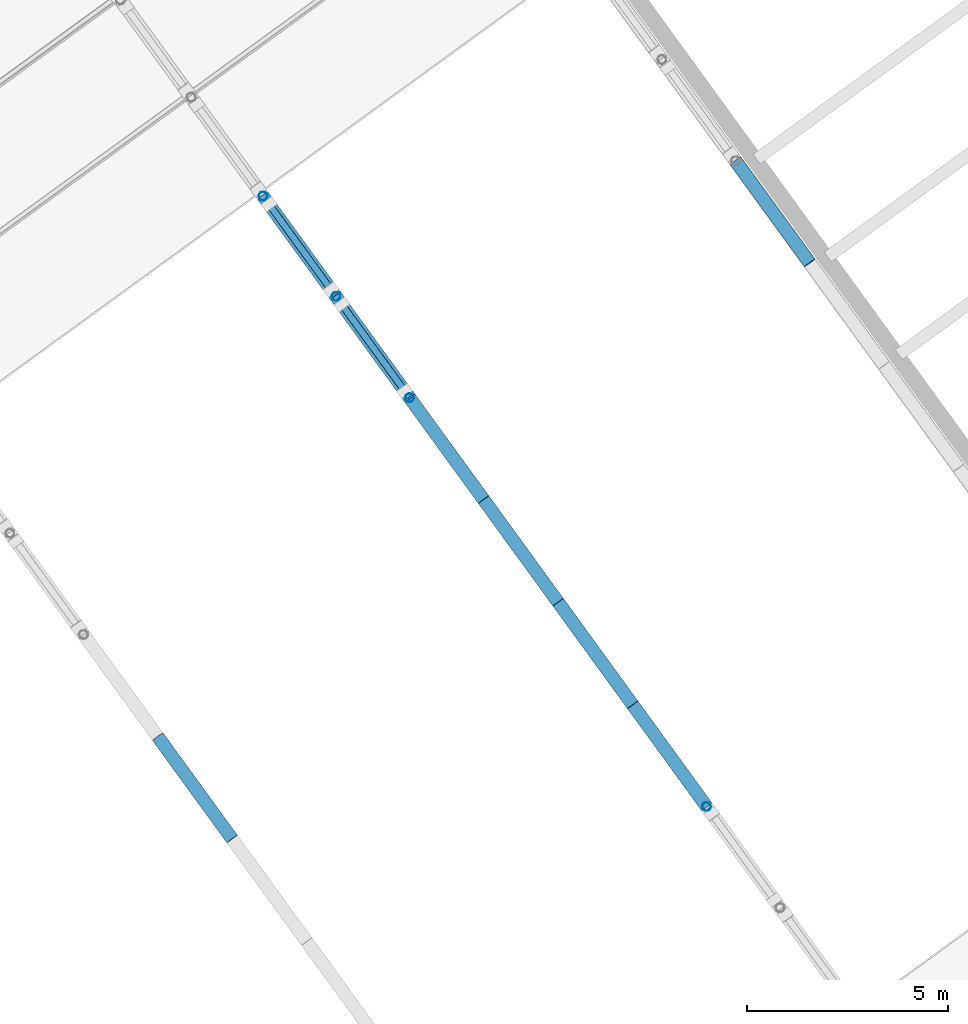
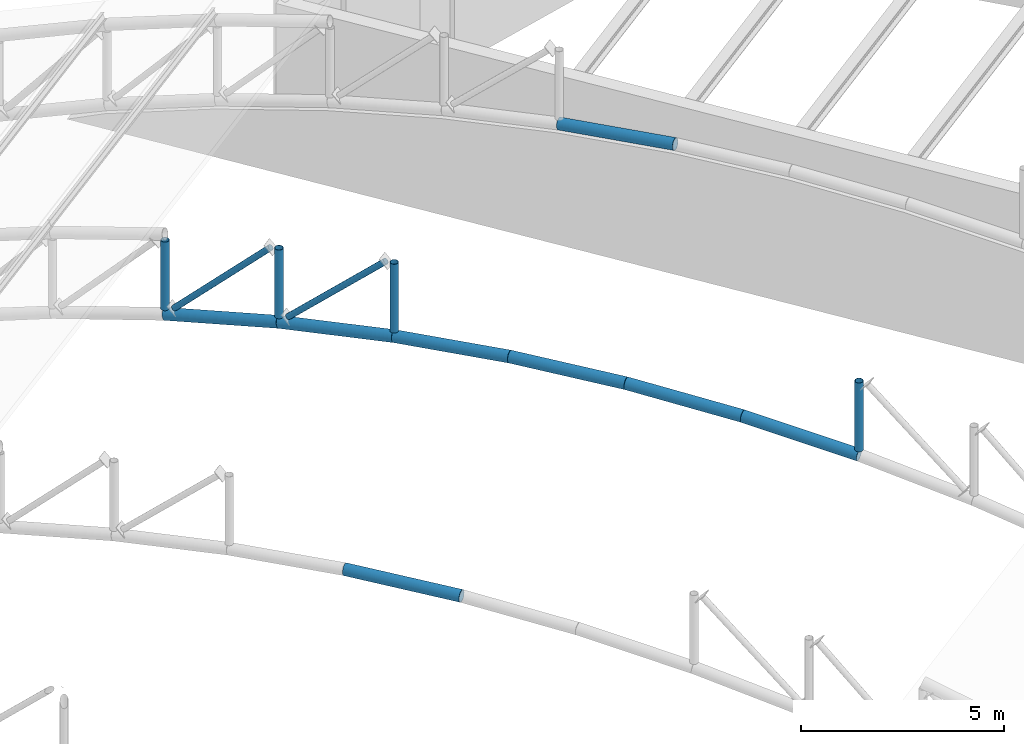
# One storey, part 28 of 69: 14 members.
"""IFC4 building model written with IfcOpenShell, lengths in metres."""

from ifc_helpers import new_model, si_unit, direction, frame, origin, origin_2d, place, context, subcontext, project, spatial, hollow_circle, extrude, material, material_profile, profile_set, type_object, element, save


model = new_model("IFC4")

# Units and contexts
model_context = context("Model", 3, precision=1e-05, world=origin(), true_north=direction((0.0, 1.0)))
body_context = subcontext(model_context, "Body", "Model", "MODEL_VIEW")
ifc_project = project(units=[si_unit("LENGTHUNIT", "METRE"), si_unit("AREAUNIT", "SQUARE_METRE"), si_unit("VOLUMEUNIT", "CUBIC_METRE"), si_unit("PLANEANGLEUNIT", "RADIAN"), si_unit("MASSUNIT", "GRAM", prefix="KILO")], contexts=[model_context])

# Site, building, storey
site_placement = place(None, origin())
site = spatial("IfcSite", under=ifc_project, at=site_placement, CompositionType="ELEMENT")
building_placement = place(site_placement, origin())
building = spatial("IfcBuilding", under=site, at=building_placement, Name="Okhra Congress Centre", CompositionType="ELEMENT")
storey_placement = place(building_placement, frame((0.0, 0.0, 16.800048828125)))
storey = spatial("IfcBuildingStorey", under=building, at=storey_placement, Name="L03", CompositionType="ELEMENT", Elevation=16.800048828125)

# Members
ifc_material = material(Name="Steel S355J2H", Category="steel")
ifc_material_profile_1 = material_profile(ifc_material, hollow_circle(Radius=0.084228515625, WallThickness=0.00634765625, at=origin_2d()), Name="CHS 168.3x6.3")
ifc_profile_set_1 = profile_set([ifc_material_profile_1], Name="Steel S355J2H")
member_type_1 = type_object("IfcMemberType", Name="CHS 168.3x6.3", PredefinedType="BRACE", material=ifc_profile_set_1)
member_1_placement = place(storey_placement, frame((249.024169921875, 214.728515625, 3.290283203125), z_axis=(0.432852970134, -0.595735556437, 0.676562970494), x_axis=(0.80900036382, 0.587808141607, 0.0)))
element("IfcMember", 1, at=member_1_placement, inside=storey, type_object=member_type_1, Name="Truss 6 diagonal 12", PredefinedType="BRACE", context=body_context, shape_type="SweptSolid", body=[
    extrude(hollow_circle(Radius=0.084228515625, WallThickness=0.00634765625, at=origin_2d()), origin(), (0.0, 0.0, 1.0), 3.579345703125),
])
member_2_placement = place(storey_placement, frame((247.21630859375, 217.217041015625, 2.67236328125), z_axis=(0.418368815091, -0.575932824092, 0.702331059183), x_axis=(0.809064337384, 0.587720084712, 0.0)))
element("IfcMember", 2, at=member_2_placement, inside=storey, type_object=member_type_1, Name="Truss 6 diagonal 13", PredefinedType="BRACE", context=body_context, shape_type="SweptSolid", body=[
    extrude(hollow_circle(Radius=0.084228515625, WallThickness=0.00634765625, at=origin_2d()), origin(), (0.0, 0.0, 1.0), 3.658203125),
])
ifc_material_profile_2 = material_profile(ifc_material, hollow_circle(Radius=0.109619140625, WallThickness=0.008056640625, at=origin_2d()), Name="CHS 219.1x8")
ifc_profile_set_2 = profile_set([ifc_material_profile_2], Name="Steel S355J2H")
member_type_2 = type_object("IfcMemberType", Name="CHS 219.1x8", PredefinedType="POST", material=ifc_profile_set_2)
for number, where, z_axis, x_axis, name in (
    (3, (258.075927734375, 202.269775390625, 3.6845703125), (0.0, 0.0, 1.0), (1.0, 0.0, 0.0), "Truss 6 post 7"),
    (4, (250.706298828125, 212.413330078125, 3.6845703125), (0.0, 0.0, 1.0), (1.0, 0.0, 0.0), "Truss 6 post 11"),
):
    element("IfcMember", number, at=place(storey_placement, frame(where, z_axis=z_axis, x_axis=x_axis)), inside=storey, type_object=member_type_2, Name=name, PredefinedType="POST", context=body_context, shape_type="SweptSolid", body=[
        extrude(hollow_circle(Radius=0.109619140625, WallThickness=0.008056640625, at=origin_2d()), origin(), (0.0, 0.0, 1.0), 2.06982421875),
    ])
member_3_placement = place(storey_placement, frame((248.87939453125, 214.927734375, 3.230712890625), z_axis=(0.0, 0.0, 1.0), x_axis=(1.0, 0.0, 0.0)))
element("IfcMember", 5, at=member_3_placement, inside=storey, type_object=member_type_2, Name="Truss 6 post 12", PredefinedType="POST", context=body_context, shape_type="SweptSolid", body=[
    extrude(hollow_circle(Radius=0.109619140625, WallThickness=0.008056640625, at=origin_2d()), origin(), (0.0, 0.0, 1.0), 2.067138671875),
])
member_4_placement = place(storey_placement, frame((247.0712890625, 217.41650390625, 2.597412109375), z_axis=(0.0, 0.0, 1.0), x_axis=(1.0, 0.0, 0.0)))
element("IfcMember", 6, at=member_4_placement, inside=storey, type_object=member_type_2, Name="Truss 6 post 13", PredefinedType="POST", context=body_context, shape_type="SweptSolid", body=[
    extrude(hollow_circle(Radius=0.109619140625, WallThickness=0.008056640625, at=origin_2d()), origin(), (0.0, 0.0, 1.0), 2.063232421875),
])
ifc_material_profile_3 = material_profile(ifc_material, hollow_circle(Radius=0.161865234375, WallThickness=0.012451171875, at=origin_2d()), Name="CHS 323.9x12.5")
ifc_profile_set_3 = profile_set([ifc_material_profile_3], Name="Steel S355J2H")
member_type_3 = type_object("IfcMemberType", Name="CHS 323.9x12.5", PredefinedType="CHORD", material=ifc_profile_set_3)
member_5_placement = place(storey_placement, frame((246.301025390625, 201.4638671875, 3.884521484375), z_axis=(-0.587590356263, 0.808636252191, -0.029068623445), x_axis=(-0.808978111554, -0.587838766181, 0.0)))
element("IfcMember", 7, at=member_5_placement, inside=storey, type_object=member_type_3, Name="Truss 5 bottom chord 10", PredefinedType="CHORD", context=body_context, shape_type="SweptSolid", body=[
    extrude(hollow_circle(Radius=0.161865234375, WallThickness=0.012451171875, at=origin_2d()), origin(), (0.0, 0.0, 1.0), 3.14111328125),
])
member_6_placement = place(storey_placement, frame((258.075927734375, 202.269775390625, 3.51953125), z_axis=(-0.58553770002, 0.805949820707, 0.087123408777), x_axis=(-0.809026121159, -0.587772690146, 0.0)))
element("IfcMember", 8, at=member_6_placement, inside=storey, type_object=member_type_3, Name="Truss 6 bottom chord 8", PredefinedType="CHORD", context=body_context, shape_type="SweptSolid", body=[
    extrude(hollow_circle(Radius=0.161865234375, WallThickness=0.012451171875, at=origin_2d()), origin(), (0.0, 0.0, 1.0), 3.141357421875),
])
for number, where, z_axis, x_axis, name in (
    (9, (256.236572265625, 204.801513671875, 3.793212890625), (-0.587539464221, 0.808673182399, 0.029069951001), (-0.809015088623, -0.587787875327, 0.0), "Truss 6 bottom chord 9"),
    (10, (254.39111328125, 207.341552734375, 3.884521484375), (-0.587502535633, 0.808700077161, -0.029068123869), (-0.809041951748, -0.587750899881, 0.0), "Truss 6 bottom chord 10"),
    (11, (252.545654296875, 209.8818359375, 3.793212890625), (-0.585574378555, 0.805922581794, -0.087128866254), (-0.808999165888, -0.587809790317, 0.0), "Truss 6 bottom chord 11"),
    (12, (250.706298828125, 212.413330078125, 3.51953125), (-0.581594707866, 0.800460229362, -0.144951774712), (-0.809004349852, -0.587802655592, 0.0), "Truss 6 bottom chord 12"),
    (13, (248.87939453125, 214.927734375, 3.064208984375), (-0.575620603169, 0.792313857508, -0.202236674243), (-0.80903112876, -0.587765797488, 0.0), "Truss 6 bottom chord 13"),
):
    element("IfcMember", number, at=place(storey_placement, frame(where, z_axis=z_axis, x_axis=x_axis)), inside=storey, type_object=member_type_3, Name=name, PredefinedType="CHORD", context=body_context, shape_type="SweptSolid", body=[
        extrude(hollow_circle(Radius=0.161865234375, WallThickness=0.012451171875, at=origin_2d()), origin(), (0.0, 0.0, 1.0), 3.14111328125),
    ])
member_7_placement = place(storey_placement, frame((260.6357421875, 215.759521484375, 3.793212890625), z_axis=(-0.58553770002, 0.805949820707, -0.087123408777), x_axis=(-0.809026121159, -0.587772690146, 0.0)))
element("IfcMember", 14, at=member_7_placement, inside=storey, type_object=member_type_3, Name="Truss 7 bottom chord 11", PredefinedType="CHORD", context=body_context, shape_type="SweptSolid", body=[
    extrude(hollow_circle(Radius=0.161865234375, WallThickness=0.012451171875, at=origin_2d()), origin(), (0.0, 0.0, 1.0), 3.141357421875),
])

save(model, "model.ifc")
